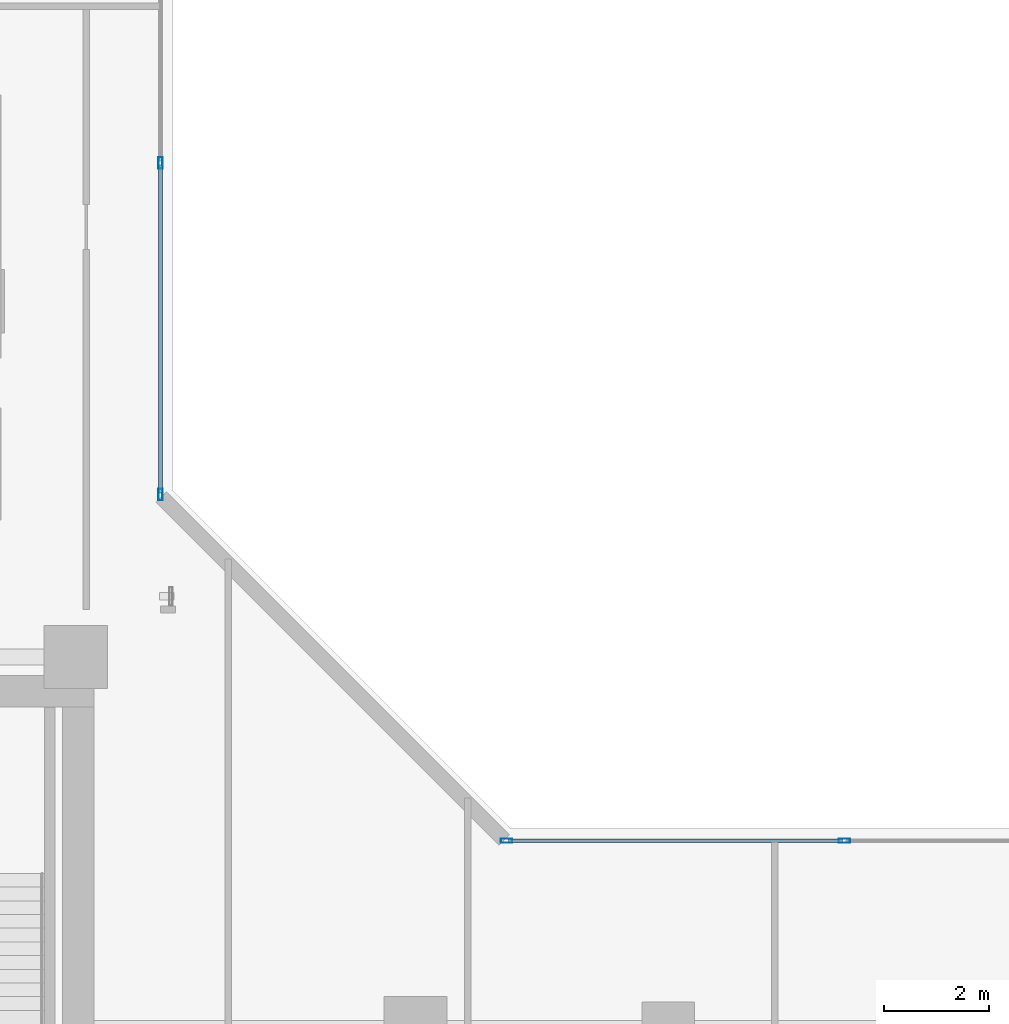
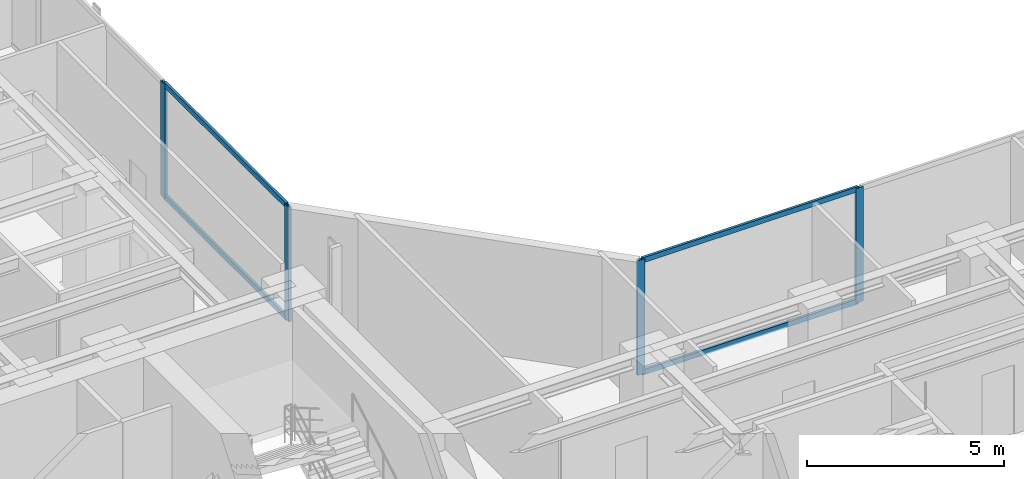
# One storey, part 9 of 24: 8 members, 2 elements without a shape of their own.
"""IFC4 building model written with IfcOpenShell, lengths in metres."""

from ifc_helpers import new_model, si_unit, direction, frame, origin, origin_with_axes, origin_2d, place, context, subcontext, project, spatial, hollow_rectangle, extrude, source, transform, mapped, material, layer, layer_set, material_profile, profile_set, type_object, element, aggregate, save


model = new_model("IFC4")

# Units and contexts
model_context = context("Model", 3, precision=1e-05, world=origin(), true_north=direction((0.0, 1.0)))
body_context = subcontext(model_context, "Body", "Model", "MODEL_VIEW")
ifc_project = project(units=[si_unit("LENGTHUNIT", "METRE"), si_unit("AREAUNIT", "SQUARE_METRE"), si_unit("VOLUMEUNIT", "CUBIC_METRE"), si_unit("PLANEANGLEUNIT", "RADIAN"), si_unit("MASSUNIT", "GRAM", prefix="KILO")], contexts=[model_context])

# Site, building, storey
site_placement = place(None, origin())
site = spatial("IfcSite", under=ifc_project, at=site_placement, CompositionType="ELEMENT")
building_placement = place(site_placement, origin())
building = spatial("IfcBuilding", under=site, at=building_placement, Name="Kolvaren Waterfront Exchange", CompositionType="ELEMENT")
storey_placement = place(building_placement, frame((0.0, 0.0, 157.60009765625)))
storey = spatial("IfcBuildingStorey", under=building, at=storey_placement, Name="L40", CompositionType="ELEMENT", Elevation=157.60009765625)

# Curtain wall, members
ifc_material_1 = material(Name="Anodised bronze aluminium 6063-T6", Category="aluminium")
ifc_layer = layer(ifc_material_1, 0.219970703125, Name="Anodised bronze aluminium 6063-T6")
ifc_layer_set = layer_set([ifc_layer], Name="Anodised bronze aluminium 6063-T6")
curtain_wall_type = type_object("IfcCurtainWallType", Name="ARC-CW-SYS1", PredefinedType="USERDEFINED", material=ifc_layer_set)
curtain_wall_1_placement = place(storey_placement, origin())
curtain_wall_1 = element("IfcCurtainWall", 1, at=curtain_wall_1_placement, inside=storey, type_object=curtain_wall_type, Name="L40 stick curtain wall CW1 (CW-L40-NE)", ObjectType="STICK CURTAIN WALL", PredefinedType="USERDEFINED")
ifc_material_2 = material(Name="Anodised aluminium 6063-T6", Category="aluminium")
ifc_material_profile_1 = material_profile(ifc_material_2, hollow_rectangle(XDim=0.074951171875, YDim=0.159912109375, WallThickness=0.00439453125, at=origin_2d()), Name="ALU-TRN-160x75x4.5")
ifc_profile_set_1 = profile_set([ifc_material_profile_1], Name="Anodised aluminium 6063-T6")
member_type_1 = type_object("IfcMemberType", Name="ARC-CWT-160", PredefinedType="USERDEFINED", material=ifc_profile_set_1)
shared_shape_1 = source(origin_with_axes(), body_context, "Body", "SweptSolid", [
    extrude(hollow_rectangle(XDim=0.074951171875, YDim=0.159912109375, WallThickness=0.00439453125, at=origin_2d()), origin(), (0.0, 0.0, 1.0), 6.216552734375),
])
member_1_placement = place(storey_placement, frame((22.360107421875, 27.570068359375, 0.037353515625), z_axis=(0.0, 1.0, 0.0), x_axis=(-1.0, 0.0, 0.0)))
member_1 = element("IfcMember", 2, at=member_1_placement, type_object=member_type_1, Name="CW1 transom 1.1", ObjectType="TRANSOM", PredefinedType="USERDEFINED", context=body_context, shape_type="MappedRepresentation", body=[
    mapped(shared_shape_1, transform((0.0, 0.0, 0.0), x_axis=(1.0, 0.0, 0.0), y_axis=(0.0, 1.0, 0.0), z_axis=(0.0, 0.0, 1.0), scale=1.0)),
])
member_2_placement = place(storey_placement, frame((22.360107421875, 27.570068359375, 3.5224609375), z_axis=(0.0, 1.0, 0.0), x_axis=(-1.0, 0.0, 0.0)))
member_2 = element("IfcMember", 3, at=member_2_placement, type_object=member_type_1, Name="CW1 transom 1.2", ObjectType="TRANSOM", PredefinedType="USERDEFINED", context=body_context, shape_type="MappedRepresentation", body=[
    mapped(shared_shape_1, transform((0.0, 0.0, 0.0), x_axis=(1.0, 0.0, 0.0), y_axis=(0.0, 1.0, 0.0), z_axis=(0.0, 0.0, 1.0), scale=1.0)),
])

curtain_wall_2_placement = place(storey_placement, origin())
curtain_wall_2 = element("IfcCurtainWall", 4, at=curtain_wall_2_placement, inside=storey, type_object=curtain_wall_type, Name="L40 stick curtain wall CW1 (CW-L40-EN)", ObjectType="STICK CURTAIN WALL", PredefinedType="USERDEFINED")
shared_shape_2 = source(origin_with_axes(), body_context, "Body", "SweptSolid", [
    extrude(hollow_rectangle(XDim=0.074951171875, YDim=0.159912109375, WallThickness=0.00439453125, at=origin_2d()), origin(), (0.0, 0.0, 1.0), 6.33251953125),
])
member_3_placement = place(storey_placement, frame((28.969970703125, 20.9599609375, 0.037353515625), z_axis=(1.0, 0.0, 0.0), x_axis=(0.0, 1.0, 0.0)))
member_3 = element("IfcMember", 5, at=member_3_placement, type_object=member_type_1, Name="CW1 transom 1.1", ObjectType="TRANSOM", PredefinedType="USERDEFINED", context=body_context, shape_type="MappedRepresentation", body=[
    mapped(shared_shape_2, transform((0.0, 0.0, 0.0), x_axis=(1.0, 0.0, 0.0), y_axis=(0.0, 1.0, 0.0), z_axis=(0.0, 0.0, 1.0), scale=1.0)),
])
member_4_placement = place(storey_placement, frame((28.969970703125, 20.9599609375, 3.5224609375), z_axis=(1.0, 0.0, 0.0), x_axis=(0.0, 1.0, 0.0)))
member_4 = element("IfcMember", 6, at=member_4_placement, type_object=member_type_1, Name="CW1 transom 1.2", ObjectType="TRANSOM", PredefinedType="USERDEFINED", context=body_context, shape_type="MappedRepresentation", body=[
    mapped(shared_shape_2, transform((0.0, 0.0, 0.0), x_axis=(1.0, 0.0, 0.0), y_axis=(0.0, 1.0, 0.0), z_axis=(0.0, 0.0, 1.0), scale=1.0)),
])

# Member
ifc_material_profile_2 = material_profile(ifc_material_2, hollow_rectangle(XDim=0.080078125, YDim=0.219970703125, WallThickness=0.0048828125, at=origin_2d()), Name="ALU-MUL-220x80x5")
ifc_profile_set_2 = profile_set([ifc_material_profile_2], Name="Anodised aluminium 6063-T6")
member_type_2 = type_object("IfcMemberType", Name="ARC-CWM-220", PredefinedType="MULLION", material=ifc_profile_set_2)
shared_shape_3 = source(origin_with_axes(), body_context, "Body", "SweptSolid", [
    extrude(hollow_rectangle(XDim=0.080078125, YDim=0.219970703125, WallThickness=0.0048828125, at=origin_2d()), origin(), (0.0, 0.0, 1.0), 3.559814453125),
])
member_5_placement = place(storey_placement, frame((22.360107421875, 27.530029296875, 0.0), z_axis=(0.0, 0.0, 1.0), x_axis=(-1.0, 0.0, 0.0)))
member_5 = element("IfcMember", 7, at=member_5_placement, type_object=member_type_2, Name="CW1 mullion 1", PredefinedType="MULLION", context=body_context, shape_type="MappedRepresentation", body=[
    mapped(shared_shape_3, transform((0.0, 0.0, 0.0), x_axis=(1.0, 0.0, 0.0), y_axis=(0.0, 1.0, 0.0), z_axis=(0.0, 0.0, 1.0), scale=1.0)),
])

member_6_placement = place(storey_placement, frame((22.360107421875, 33.82666015625, 0.0), z_axis=(0.0, 0.0, 1.0), x_axis=(-1.0, 0.0, 0.0)))
member_6 = element("IfcMember", 8, at=member_6_placement, type_object=member_type_2, Name="CW1 mullion 2", PredefinedType="MULLION", context=body_context, shape_type="MappedRepresentation", body=[
    mapped(shared_shape_3, transform((0.0, 0.0, 0.0), x_axis=(1.0, 0.0, 0.0), y_axis=(0.0, 1.0, 0.0), z_axis=(0.0, 0.0, 1.0), scale=1.0)),
])

aggregate(curtain_wall_1, [member_5, member_6, member_1, member_2])

member_7_placement = place(storey_placement, frame((28.929931640625, 20.9599609375, 0.0), z_axis=(0.0, 0.0, 1.0), x_axis=(0.0, 1.0, 0.0)))
member_7 = element("IfcMember", 9, at=member_7_placement, type_object=member_type_2, Name="CW1 mullion 1", PredefinedType="MULLION", context=body_context, shape_type="MappedRepresentation", body=[
    mapped(shared_shape_3, transform((0.0, 0.0, 0.0), x_axis=(1.0, 0.0, 0.0), y_axis=(0.0, 1.0, 0.0), z_axis=(0.0, 0.0, 1.0), scale=1.0)),
])

member_8_placement = place(storey_placement, frame((35.342529296875, 20.9599609375, 0.0), z_axis=(0.0, 0.0, 1.0), x_axis=(0.0, 1.0, 0.0)))
member_8 = element("IfcMember", 10, at=member_8_placement, type_object=member_type_2, Name="CW1 mullion 2", PredefinedType="MULLION", context=body_context, shape_type="MappedRepresentation", body=[
    mapped(shared_shape_3, transform((0.0, 0.0, 0.0), x_axis=(1.0, 0.0, 0.0), y_axis=(0.0, 1.0, 0.0), z_axis=(0.0, 0.0, 1.0), scale=1.0)),
])

aggregate(curtain_wall_2, [member_7, member_8, member_3, member_4])

save(model, "model.ifc")
